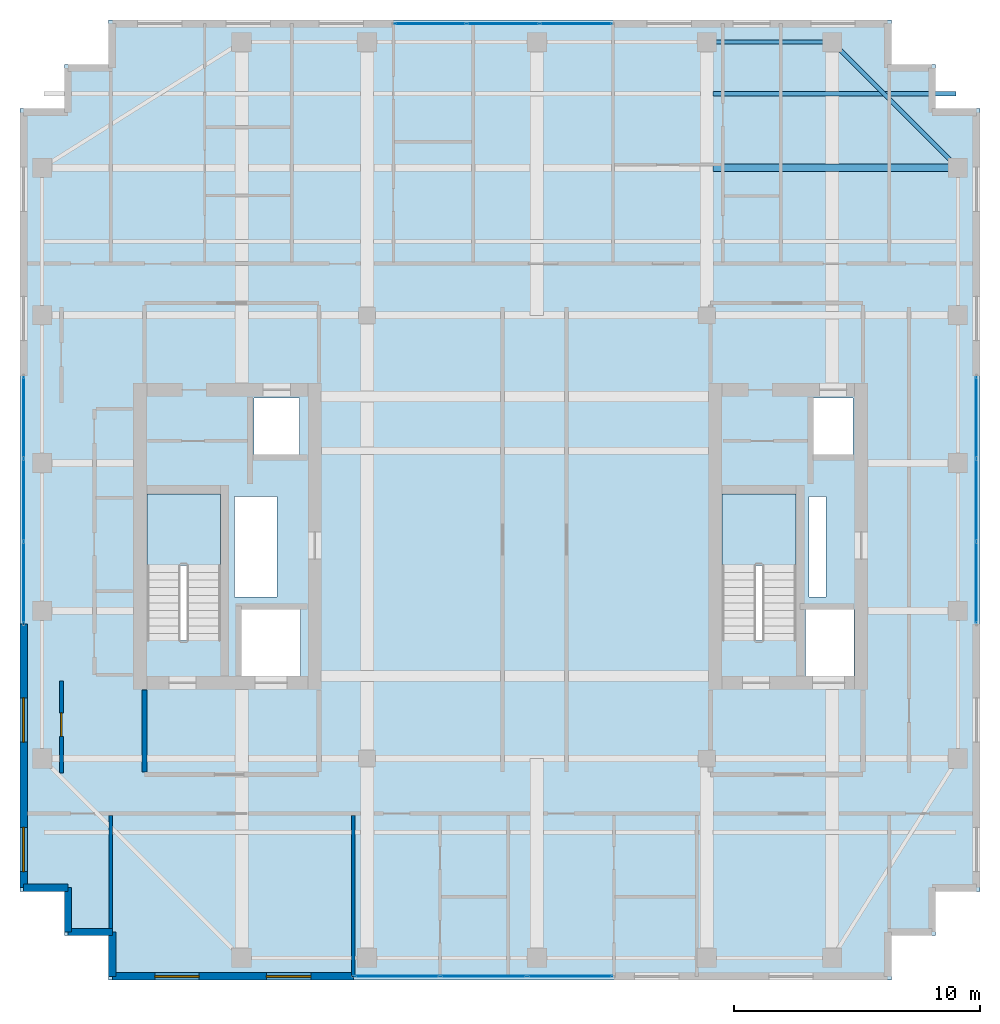
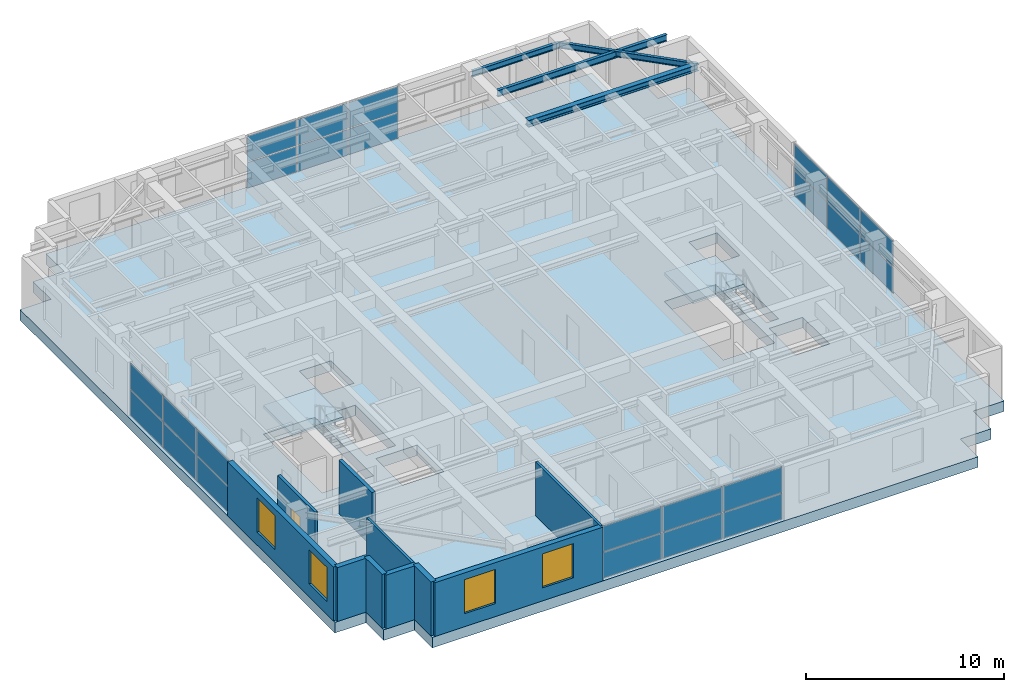
# One storey, part 16 of 21: 24 plates, 10 walls, 4 beams, 4 windows, 3 slabs, 1 door, 5 openings, 6 elements without a shape of their own.
"""IFC4 building model written with IfcOpenShell, lengths in metres."""

from ifc_helpers import new_model, si_unit, direction, frame, frame_2d, origin, origin_2d, place, context, subcontext, project, spatial, polyline, rectangle, i_section, outline, extrude, source, transform, mapped, material, layer, layer_set, material_profile, profile_set, type_object, element, fill, aggregate, save


model = new_model("IFC4")

# Units and contexts
model_context = context("Model", 3, precision=1e-05, world=origin(), true_north=direction((0.0, 1.0)))
body_context = subcontext(model_context, "Body", "Model", "MODEL_VIEW")
ifc_project = project(units=[si_unit("LENGTHUNIT", "METRE"), si_unit("AREAUNIT", "SQUARE_METRE"), si_unit("VOLUMEUNIT", "CUBIC_METRE"), si_unit("PLANEANGLEUNIT", "RADIAN"), si_unit("MASSUNIT", "GRAM", prefix="KILO")], contexts=[model_context])

# Site, building, storey
site_placement = place(None, origin())
site = spatial("IfcSite", under=ifc_project, at=site_placement, CompositionType="ELEMENT")
building_placement = place(site_placement, origin())
building = spatial("IfcBuilding", under=site, at=building_placement, Name="Khoralis Quay Care Tower", CompositionType="ELEMENT")
storey_placement = place(building_placement, frame((0.0, 0.0, 267.300048828125)))
storey = spatial("IfcBuildingStorey", under=building, at=storey_placement, Name="L70", CompositionType="ELEMENT", Elevation=267.300048828125)

# Beams
ifc_material_1 = material(Name="Steel S355", Category="steel")
ifc_material_profile_1 = material_profile(ifc_material_1, i_section(OverallWidth=0.169921875, OverallDepth=0.360107421875, WebThickness=0.008056640625, FlangeThickness=0.0126953125, FilletRadius=0.01806640625, at=origin_2d()), Name="Steel S355")
ifc_profile_set_1 = profile_set([ifc_material_profile_1], Name="Steel S355")
beam_type_1 = type_object("IfcBeamType", Name="BM-IPE360", PredefinedType="SPANDREL", material=ifc_profile_set_1)
shared_shape_1 = source(origin(), body_context, "Body", "SweptSolid", [
    extrude(i_section(OverallWidth=0.169921875, OverallDepth=0.360107421875, WebThickness=0.008056640625, FlangeThickness=0.0126953125, FilletRadius=0.01806640625, at=origin_2d()), origin(), (0.0, 0.0, 1.0), 5.10009765625),
])
beam_1_placement = place(storey_placement, frame((30.89990234375, 41.10009765625, 3.139892578125), z_axis=(1.0, 0.0, 0.0), x_axis=(0.0, 1.0, 0.0)))
element("IfcBeam", 1, at=beam_1_placement, inside=storey, type_object=beam_type_1, Name="BM-TSP-L70-08", PredefinedType="SPANDREL", context=body_context, shape_type="MappedRepresentation", body=[
    mapped(shared_shape_1, transform((0.0, 0.0, 0.0), scale=1.0)),
])
shared_shape_2 = source(origin(), body_context, "Body", "SweptSolid", [
    extrude(i_section(OverallWidth=0.169921875, OverallDepth=0.360107421875, WebThickness=0.008056640625, FlangeThickness=0.0126953125, FilletRadius=0.01806640625, at=origin_2d()), origin(), (0.0, 0.0, 1.0), 7.212646484375),
])
beam_2_placement = place(storey_placement, frame((36.0, 41.10009765625, 3.139892578125), z_axis=(0.707106781187, -0.707106781187, 0.0), x_axis=(0.707106781187, 0.707106781187, 0.0)))
element("IfcBeam", 2, at=beam_2_placement, inside=storey, type_object=beam_type_1, Name="BM-TCR-L70-20", PredefinedType="SPANDREL", context=body_context, shape_type="MappedRepresentation", body=[
    mapped(shared_shape_2, transform((0.0, 0.0, 0.0), scale=1.0)),
])
ifc_material_profile_2 = material_profile(ifc_material_1, i_section(OverallWidth=0.300048828125, OverallDepth=0.39990234375, WebThickness=0.013427734375, FlangeThickness=0.02392578125, FilletRadius=0.027099609375, at=origin_2d()), Name="Steel S355")
ifc_profile_set_2 = profile_set([ifc_material_profile_2], Name="Steel S355")
beam_type_2 = type_object("IfcBeamType", Name="BM-HEB400", PredefinedType="BEAM", material=ifc_profile_set_2)
shared_shape_3 = source(origin(), body_context, "Body", "SweptSolid", [
    extrude(i_section(OverallWidth=0.300048828125, OverallDepth=0.39990234375, WebThickness=0.013427734375, FlangeThickness=0.02392578125, FilletRadius=0.027099609375, at=origin_2d()), origin(), (0.0, 0.0, 1.0), 9.93701171875),
])
beam_3_placement = place(storey_placement, frame((31.1630859375, 36.0, 3.119873046875), z_axis=(1.0, 0.0, 0.0), x_axis=(0.0, 1.0, 0.0)))
element("IfcBeam", 3, at=beam_3_placement, inside=storey, type_object=beam_type_2, Name="BM-TGXE-L70-360", PredefinedType="BEAM", context=body_context, shape_type="MappedRepresentation", body=[
    mapped(shared_shape_3, transform((0.0, 0.0, 0.0), scale=1.0)),
])
ifc_material_profile_3 = material_profile(ifc_material_1, i_section(OverallWidth=0.177978515625, OverallDepth=0.406982421875, WebThickness=0.0078125, FlangeThickness=0.0126953125, FilletRadius=0.012939453125, at=origin_2d()), Name="Steel S355")
ifc_profile_set_3 = profile_set([ifc_material_profile_3], Name="Steel S355")
beam_type_3 = type_object("IfcBeamType", Name="BM-W410X60", PredefinedType="JOIST", material=ifc_profile_set_3)
shared_shape_4 = source(origin(), body_context, "Body", "SweptSolid", [
    extrude(i_section(OverallWidth=0.177978515625, OverallDepth=0.406982421875, WebThickness=0.0078125, FlangeThickness=0.0126953125, FilletRadius=0.012939453125, at=origin_2d()), origin(), (0.0, 0.0, 1.0), 9.865966796875),
])
beam_4_placement = place(storey_placement, frame((31.1630859375, 39.0, 3.116455078125), z_axis=(1.0, 0.0, 0.0), x_axis=(0.0, 1.0, 0.0)))
element("IfcBeam", 4, at=beam_4_placement, inside=storey, type_object=beam_type_3, Name="BM-TJS-L70-28", PredefinedType="JOIST", context=body_context, shape_type="MappedRepresentation", body=[
    mapped(shared_shape_4, transform((0.0, 0.0, 0.0), scale=1.0)),
])

# Stair, slab
ifc_material_2 = material(Name="Precast concrete C45/55", Category="concrete")
stair_type = type_object("IfcStairType", Name="ST-TWR-DOGLEG-1400", PredefinedType="HALF_TURN_STAIR", material=ifc_material_2)
stair_1_placement = place(storey_placement, origin())
stair_1 = element("IfcStair", 5, at=stair_1_placement, inside=storey, type_object=stair_type, Name="L70 West Core Exit Stair ST-T1", PredefinedType="HALF_TURN_STAIR")
ifc_layer_1 = layer(ifc_material_2, 0.199951171875)
ifc_layer_set_1 = layer_set([ifc_layer_1], Name="Precast concrete C45/55")
slab_type_1 = type_object("IfcSlabType", Name="SLB-LANDING-200", PredefinedType="LANDING", material=ifc_layer_set_1)
slab_1_placement = place(storey_placement, frame((0.0, 0.0, 1.599853515625)))
slab_1 = element("IfcSlab", 6, at=slab_1_placement, type_object=slab_type_1, Name="ST-T1 landing 1", PredefinedType="LANDING", context=body_context, shape_type="SweptSolid", body=[
    extrude(outline(polyline([(11.14990234375, 19.840087890625), (11.14990234375, 22.75), (8.14990234375, 22.75), (8.14990234375, 19.840087890625), (11.14990234375, 19.840087890625)])), origin(), (0.0, 0.0, 1.0), 0.2001953125),
])
aggregate(stair_1, [slab_1])

stair_2_placement = place(storey_placement, origin())
stair_2 = element("IfcStair", 7, at=stair_2_placement, inside=storey, type_object=stair_type, Name="L70 East Core Exit Stair ST-T2", PredefinedType="HALF_TURN_STAIR")
slab_2_placement = place(storey_placement, frame((0.0, 0.0, 1.599853515625)))
slab_2 = element("IfcSlab", 8, at=slab_2_placement, type_object=slab_type_1, Name="ST-T2 landing 1", PredefinedType="LANDING", context=body_context, shape_type="SweptSolid", body=[
    extrude(outline(polyline([(34.52001953125, 19.840087890625), (34.52001953125, 22.75), (31.52001953125, 22.75), (31.52001953125, 19.840087890625), (34.52001953125, 19.840087890625)])), origin(), (0.0, 0.0, 1.0), 0.2001953125),
])
aggregate(stair_2, [slab_2])

# Slab
ifc_material_3 = material(Name="Concrete C65/80", Category="concrete")
ifc_layer_2 = layer(ifc_material_3, 0.64990234375)
ifc_layer_set_2 = layer_set([ifc_layer_2], Name="Concrete C65/80")
slab_type_2 = type_object("IfcSlabType", Name="SLB-TRANS-650", PredefinedType="FLOOR", material=ifc_layer_set_2)
slab_3_placement = place(storey_placement, frame((0.0, 0.0, -0.650146484375)))
element("IfcSlab", 9, at=slab_3_placement, inside=storey, type_object=slab_type_2, Name="Tower Floor Slab L70", PredefinedType="FLOOR", context=body_context, shape_type="SweptSolid", body=[
    extrude(outline(polyline([(6.60009765625, 3.0), (38.39990234375, 3.0), (38.39990234375, 4.800048828125), (40.199951171875, 4.800048828125), (40.199951171875, 6.60009765625), (42.0, 6.60009765625), (42.0, 38.39990234375), (40.199951171875, 38.39990234375), (40.199951171875, 40.199951171875), (38.39990234375, 40.199951171875), (38.39990234375, 42.0), (6.60009765625, 42.0), (6.60009765625, 40.199951171875), (4.800048828125, 40.199951171875), (4.800048828125, 38.39990234375), (3.0, 38.39990234375), (3.0, 6.60009765625), (4.800048828125, 6.60009765625), (4.800048828125, 4.800048828125), (6.60009765625, 4.800048828125), (6.60009765625, 3.0)]), holes=[polyline([(11.14990234375, 16.800048828125), (11.14990234375, 22.75), (8.14990234375, 22.75), (8.14990234375, 16.800048828125), (11.14990234375, 16.800048828125)]), polyline([(34.52001953125, 16.800048828125), (34.52001953125, 22.75), (31.52001953125, 22.75), (31.52001953125, 16.800048828125), (34.52001953125, 16.800048828125)]), polyline([(12.0, 15.35009765625), (14.39990234375, 15.35009765625), (14.39990234375, 18.050048828125), (12.0, 18.050048828125), (12.0, 15.35009765625)]), polyline([(34.919921875, 15.35009765625), (36.8798828125, 15.35009765625), (36.8798828125, 18.050048828125), (34.919921875, 18.050048828125), (34.919921875, 15.35009765625)]), polyline([(12.5, 24.35009765625), (14.35009765625, 24.35009765625), (14.35009765625, 26.64990234375), (12.5, 26.64990234375), (12.5, 24.35009765625)]), polyline([(35.199951171875, 24.35009765625), (36.85009765625, 24.35009765625), (36.85009765625, 26.64990234375), (35.199951171875, 26.64990234375), (35.199951171875, 24.35009765625)]), polyline([(11.719970703125, 18.550048828125), (13.449951171875, 18.550048828125), (13.449951171875, 22.64990234375), (11.719970703125, 22.64990234375), (11.719970703125, 18.550048828125)]), polyline([(35.050048828125, 18.550048828125), (35.75, 18.550048828125), (35.75, 22.64990234375), (35.050048828125, 22.64990234375), (35.050048828125, 18.550048828125)])]), origin(), (0.0, 0.0, 1.0), 0.650146484375),
])

# Curtain wall, plates
ifc_material_4 = material(Name="Pale anodised aluminium", Category="aluminium")
ifc_layer_3 = layer(ifc_material_4, 0.159912109375)
ifc_layer_set_3 = layer_set([ifc_layer_3], Name="Pale anodised aluminium")
curtain_wall_type = type_object("IfcCurtainWallType", Name="CW-SYS-Z3", PredefinedType="NOTDEFINED", material=ifc_layer_set_3)
curtain_wall_1_placement = place(storey_placement, origin())
curtain_wall_1 = element("IfcCurtainWall", 10, at=curtain_wall_1_placement, inside=storey, type_object=curtain_wall_type, Name="L70 Unitised Curtain Wall CW-L70-P1-E0", PredefinedType="NOTDEFINED")
ifc_material_5 = material(Name="Low-E solar-control double glazing", Category="glass")
ifc_layer_4 = layer(ifc_material_5, 0.031982421875)
ifc_layer_set_4 = layer_set([ifc_layer_4], Name="Low-E solar-control double glazing")
plate_type = type_object("IfcPlateType", Name="PNL-VIS-32", PredefinedType="CURTAIN_PANEL", material=ifc_layer_set_4)
shared_shape_5 = source(origin(), body_context, "Body", "SweptSolid", [
    extrude(rectangle(XDim=3.438232421875, YDim=0.028076171875, at=origin_2d()), origin(), (0.0, 0.0, 1.0), 1.570068359375),
])
plate_1_placement = place(storey_placement, frame((18.319091796875, 3.14990234375, 0.06005859375), z_axis=(0.0, 0.0, 1.0), x_axis=(1.0, 0.0, 0.0)))
plate_1 = element("IfcPlate", 11, at=plate_1_placement, type_object=plate_type, Name="CW3 panel 1.1", PredefinedType="CURTAIN_PANEL", context=body_context, shape_type="MappedRepresentation", body=[
    mapped(shared_shape_5, transform((0.0, 0.0, 0.0), scale=1.0)),
])
plate_2_placement = place(storey_placement, frame((18.319091796875, 3.14990234375, 1.68994140625), z_axis=(0.0, 0.0, 1.0), x_axis=(1.0, 0.0, 0.0)))
plate_2 = element("IfcPlate", 12, at=plate_2_placement, type_object=plate_type, Name="CW3 panel 1.2", PredefinedType="CURTAIN_PANEL", context=body_context, shape_type="MappedRepresentation", body=[
    mapped(shared_shape_5, transform((0.0, 0.0, 0.0), scale=1.0)),
])
plate_3_placement = place(storey_placement, frame((25.345947265625, 3.14990234375, 0.06005859375), z_axis=(0.0, 0.0, 1.0), x_axis=(1.0, 0.0, 0.0)))
plate_3 = element("IfcPlate", 13, at=plate_3_placement, type_object=plate_type, Name="CW3 panel 3.1", PredefinedType="CURTAIN_PANEL", context=body_context, shape_type="MappedRepresentation", body=[
    mapped(shared_shape_5, transform((0.0, 0.0, 0.0), scale=1.0)),
])
plate_4_placement = place(storey_placement, frame((25.345947265625, 3.14990234375, 1.68994140625), z_axis=(0.0, 0.0, 1.0), x_axis=(1.0, 0.0, 0.0)))
plate_4 = element("IfcPlate", 14, at=plate_4_placement, type_object=plate_type, Name="CW3 panel 3.2", PredefinedType="CURTAIN_PANEL", context=body_context, shape_type="MappedRepresentation", body=[
    mapped(shared_shape_5, transform((0.0, 0.0, 0.0), scale=1.0)),
])
shared_shape_6 = source(origin(), body_context, "Body", "SweptSolid", [
    extrude(rectangle(XDim=3.46826171875, YDim=0.028076171875, at=origin_2d()), origin(), (0.0, 0.0, 1.0), 1.570068359375),
])
plate_5_placement = place(storey_placement, frame((21.83251953125, 3.14990234375, 0.06005859375), z_axis=(0.0, 0.0, 1.0), x_axis=(1.0, 0.0, 0.0)))
plate_5 = element("IfcPlate", 15, at=plate_5_placement, type_object=plate_type, Name="CW3 panel 2.1", PredefinedType="CURTAIN_PANEL", context=body_context, shape_type="MappedRepresentation", body=[
    mapped(shared_shape_6, transform((0.0, 0.0, 0.0), scale=1.0)),
])
plate_6_placement = place(storey_placement, frame((21.83251953125, 3.14990234375, 1.68994140625), z_axis=(0.0, 0.0, 1.0), x_axis=(1.0, 0.0, 0.0)))
plate_6 = element("IfcPlate", 16, at=plate_6_placement, type_object=plate_type, Name="CW3 panel 2.2", PredefinedType="CURTAIN_PANEL", context=body_context, shape_type="MappedRepresentation", body=[
    mapped(shared_shape_6, transform((0.0, 0.0, 0.0), scale=1.0)),
])
aggregate(curtain_wall_1, [plate_1, plate_2, plate_5, plate_6, plate_3, plate_4])

curtain_wall_2_placement = place(storey_placement, origin())
curtain_wall_2 = element("IfcCurtainWall", 17, at=curtain_wall_2_placement, inside=storey, type_object=curtain_wall_type, Name="L70 Unitised Curtain Wall CW-L70-P1-E5", PredefinedType="NOTDEFINED")
shared_shape_7 = source(origin(), body_context, "Body", "SweptSolid", [
    extrude(rectangle(XDim=3.27001953125, YDim=0.028076171875, at=origin_2d()), origin(), (0.0, 0.0, 1.0), 1.570068359375),
])
plate_7_placement = place(storey_placement, frame((41.85009765625, 19.155029296875, 0.06005859375), z_axis=(0.0, 0.0, 1.0), x_axis=(0.0, 1.0, 0.0)))
plate_7 = element("IfcPlate", 18, at=plate_7_placement, type_object=plate_type, Name="CW3 panel 1.1", PredefinedType="CURTAIN_PANEL", context=body_context, shape_type="MappedRepresentation", body=[
    mapped(shared_shape_7, transform((0.0, 0.0, 0.0), scale=1.0)),
])
plate_8_placement = place(storey_placement, frame((41.85009765625, 19.155029296875, 1.68994140625), z_axis=(0.0, 0.0, 1.0), x_axis=(0.0, 1.0, 0.0)))
plate_8 = element("IfcPlate", 19, at=plate_8_placement, type_object=plate_type, Name="CW3 panel 1.2", PredefinedType="CURTAIN_PANEL", context=body_context, shape_type="MappedRepresentation", body=[
    mapped(shared_shape_7, transform((0.0, 0.0, 0.0), scale=1.0)),
])
plate_9_placement = place(storey_placement, frame((41.85009765625, 25.844970703125, 0.06005859375), z_axis=(0.0, 0.0, 1.0), x_axis=(0.0, 1.0, 0.0)))
plate_9 = element("IfcPlate", 20, at=plate_9_placement, type_object=plate_type, Name="CW3 panel 3.1", PredefinedType="CURTAIN_PANEL", context=body_context, shape_type="MappedRepresentation", body=[
    mapped(shared_shape_7, transform((0.0, 0.0, 0.0), scale=1.0)),
])
plate_10_placement = place(storey_placement, frame((41.85009765625, 25.844970703125, 1.68994140625), z_axis=(0.0, 0.0, 1.0), x_axis=(0.0, 1.0, 0.0)))
plate_10 = element("IfcPlate", 21, at=plate_10_placement, type_object=plate_type, Name="CW3 panel 3.2", PredefinedType="CURTAIN_PANEL", context=body_context, shape_type="MappedRepresentation", body=[
    mapped(shared_shape_7, transform((0.0, 0.0, 0.0), scale=1.0)),
])

curtain_wall_3_placement = place(storey_placement, origin())
curtain_wall_3 = element("IfcCurtainWall", 22, at=curtain_wall_3_placement, inside=storey, type_object=curtain_wall_type, Name="L70 Unitised Curtain Wall CW-L70-P1-E15", PredefinedType="NOTDEFINED")
plate_11_placement = place(storey_placement, frame((3.14990234375, 25.844970703125, 0.06005859375), z_axis=(0.0, 0.0, 1.0), x_axis=(0.0, -1.0, 0.0)))
plate_11 = element("IfcPlate", 23, at=plate_11_placement, type_object=plate_type, Name="CW3 panel 1.1", PredefinedType="CURTAIN_PANEL", context=body_context, shape_type="MappedRepresentation", body=[
    mapped(shared_shape_7, transform((0.0, 0.0, 0.0), scale=1.0)),
])
plate_12_placement = place(storey_placement, frame((3.14990234375, 25.844970703125, 1.68994140625), z_axis=(0.0, 0.0, 1.0), x_axis=(0.0, -1.0, 0.0)))
plate_12 = element("IfcPlate", 24, at=plate_12_placement, type_object=plate_type, Name="CW3 panel 1.2", PredefinedType="CURTAIN_PANEL", context=body_context, shape_type="MappedRepresentation", body=[
    mapped(shared_shape_7, transform((0.0, 0.0, 0.0), scale=1.0)),
])
plate_13_placement = place(storey_placement, frame((3.14990234375, 19.155029296875, 0.06005859375), z_axis=(0.0, 0.0, 1.0), x_axis=(0.0, -1.0, 0.0)))
plate_13 = element("IfcPlate", 25, at=plate_13_placement, type_object=plate_type, Name="CW3 panel 3.1", PredefinedType="CURTAIN_PANEL", context=body_context, shape_type="MappedRepresentation", body=[
    mapped(shared_shape_7, transform((0.0, 0.0, 0.0), scale=1.0)),
])
plate_14_placement = place(storey_placement, frame((3.14990234375, 19.155029296875, 1.68994140625), z_axis=(0.0, 0.0, 1.0), x_axis=(0.0, -1.0, 0.0)))
plate_14 = element("IfcPlate", 26, at=plate_14_placement, type_object=plate_type, Name="CW3 panel 3.2", PredefinedType="CURTAIN_PANEL", context=body_context, shape_type="MappedRepresentation", body=[
    mapped(shared_shape_7, transform((0.0, 0.0, 0.0), scale=1.0)),
])

# Plate
shared_shape_8 = source(origin(), body_context, "Body", "SweptSolid", [
    extrude(rectangle(XDim=3.300048828125, YDim=0.028076171875, at=origin_2d()), origin(), (0.0, 0.0, 1.0), 1.570068359375),
])
plate_15_placement = place(storey_placement, frame((41.85009765625, 22.5, 0.06005859375), z_axis=(0.0, 0.0, 1.0), x_axis=(0.0, 1.0, 0.0)))
plate_15 = element("IfcPlate", 27, at=plate_15_placement, type_object=plate_type, Name="CW3 panel 2.1", PredefinedType="CURTAIN_PANEL", context=body_context, shape_type="MappedRepresentation", body=[
    mapped(shared_shape_8, transform((0.0, 0.0, 0.0), scale=1.0)),
])

plate_16_placement = place(storey_placement, frame((41.85009765625, 22.5, 1.68994140625), z_axis=(0.0, 0.0, 1.0), x_axis=(0.0, 1.0, 0.0)))
plate_16 = element("IfcPlate", 28, at=plate_16_placement, type_object=plate_type, Name="CW3 panel 2.2", PredefinedType="CURTAIN_PANEL", context=body_context, shape_type="MappedRepresentation", body=[
    mapped(shared_shape_8, transform((0.0, 0.0, 0.0), scale=1.0)),
])

aggregate(curtain_wall_2, [plate_7, plate_8, plate_15, plate_16, plate_9, plate_10])

plate_17_placement = place(storey_placement, frame((3.14990234375, 22.5, 0.06005859375), z_axis=(0.0, 0.0, 1.0), x_axis=(0.0, -1.0, 0.0)))
plate_17 = element("IfcPlate", 29, at=plate_17_placement, type_object=plate_type, Name="CW3 panel 2.1", PredefinedType="CURTAIN_PANEL", context=body_context, shape_type="MappedRepresentation", body=[
    mapped(shared_shape_8, transform((0.0, 0.0, 0.0), scale=1.0)),
])

plate_18_placement = place(storey_placement, frame((3.14990234375, 22.5, 1.68994140625), z_axis=(0.0, 0.0, 1.0), x_axis=(0.0, -1.0, 0.0)))
plate_18 = element("IfcPlate", 30, at=plate_18_placement, type_object=plate_type, Name="CW3 panel 2.2", PredefinedType="CURTAIN_PANEL", context=body_context, shape_type="MappedRepresentation", body=[
    mapped(shared_shape_8, transform((0.0, 0.0, 0.0), scale=1.0)),
])

aggregate(curtain_wall_3, [plate_11, plate_12, plate_17, plate_18, plate_13, plate_14])

# Curtain wall, plates
curtain_wall_4_placement = place(storey_placement, origin())
curtain_wall_4 = element("IfcCurtainWall", 31, at=curtain_wall_4_placement, inside=storey, type_object=curtain_wall_type, Name="L70 Unitised Curtain Wall CW-L70-P1-E10", PredefinedType="NOTDEFINED")
shared_shape_9 = source(origin(), body_context, "Body", "SweptSolid", [
    extrude(rectangle(XDim=2.88427734375, YDim=0.028076171875, at=origin_2d()), origin(), (0.0, 0.0, 1.0), 1.570068359375),
])
plate_19_placement = place(storey_placement, frame((25.587890625, 41.85009765625, 0.06005859375), z_axis=(0.0, 0.0, 1.0), x_axis=(-1.0, 0.0, 0.0)))
plate_19 = element("IfcPlate", 32, at=plate_19_placement, type_object=plate_type, Name="CW3 panel 1.1", PredefinedType="CURTAIN_PANEL", context=body_context, shape_type="MappedRepresentation", body=[
    mapped(shared_shape_9, transform((0.0, 0.0, 0.0), scale=1.0)),
])
plate_20_placement = place(storey_placement, frame((25.587890625, 41.85009765625, 1.68994140625), z_axis=(0.0, 0.0, 1.0), x_axis=(-1.0, 0.0, 0.0)))
plate_20 = element("IfcPlate", 33, at=plate_20_placement, type_object=plate_type, Name="CW3 panel 1.2", PredefinedType="CURTAIN_PANEL", context=body_context, shape_type="MappedRepresentation", body=[
    mapped(shared_shape_9, transform((0.0, 0.0, 0.0), scale=1.0)),
])
plate_21_placement = place(storey_placement, frame((19.669189453125, 41.85009765625, 0.06005859375), z_axis=(0.0, 0.0, 1.0), x_axis=(-1.0, 0.0, 0.0)))
plate_21 = element("IfcPlate", 34, at=plate_21_placement, type_object=plate_type, Name="CW3 panel 3.1", PredefinedType="CURTAIN_PANEL", context=body_context, shape_type="MappedRepresentation", body=[
    mapped(shared_shape_9, transform((0.0, 0.0, 0.0), scale=1.0)),
])
plate_22_placement = place(storey_placement, frame((19.669189453125, 41.85009765625, 1.68994140625), z_axis=(0.0, 0.0, 1.0), x_axis=(-1.0, 0.0, 0.0)))
plate_22 = element("IfcPlate", 35, at=plate_22_placement, type_object=plate_type, Name="CW3 panel 3.2", PredefinedType="CURTAIN_PANEL", context=body_context, shape_type="MappedRepresentation", body=[
    mapped(shared_shape_9, transform((0.0, 0.0, 0.0), scale=1.0)),
])
shared_shape_10 = source(origin(), body_context, "Body", "SweptSolid", [
    extrude(rectangle(XDim=2.914306640625, YDim=0.028076171875, at=origin_2d()), origin(), (0.0, 0.0, 1.0), 1.570068359375),
])
plate_23_placement = place(storey_placement, frame((22.62841796875, 41.85009765625, 0.06005859375), z_axis=(0.0, 0.0, 1.0), x_axis=(-1.0, 0.0, 0.0)))
plate_23 = element("IfcPlate", 36, at=plate_23_placement, type_object=plate_type, Name="CW3 panel 2.1", PredefinedType="CURTAIN_PANEL", context=body_context, shape_type="MappedRepresentation", body=[
    mapped(shared_shape_10, transform((0.0, 0.0, 0.0), scale=1.0)),
])
plate_24_placement = place(storey_placement, frame((22.62841796875, 41.85009765625, 1.68994140625), z_axis=(0.0, 0.0, 1.0), x_axis=(-1.0, 0.0, 0.0)))
plate_24 = element("IfcPlate", 37, at=plate_24_placement, type_object=plate_type, Name="CW3 panel 2.2", PredefinedType="CURTAIN_PANEL", context=body_context, shape_type="MappedRepresentation", body=[
    mapped(shared_shape_10, transform((0.0, 0.0, 0.0), scale=1.0)),
])
aggregate(curtain_wall_4, [plate_19, plate_20, plate_23, plate_24, plate_21, plate_22])

# Wall
ifc_material_6 = material(Name="Gypsum plasterboard on acoustic metal stud")
ifc_layer_5 = layer(ifc_material_6, 0.199951171875)
ifc_layer_set_5 = layer_set([ifc_layer_5], Name="Gypsum plasterboard on acoustic metal stud")
wall_type_1 = type_object("IfcWallType", Name="WL-COMP-200", PredefinedType="PARTITIONING", material=ifc_layer_set_5)
wall_1_placement = place(storey_placement, frame((8.050048828125, 11.445068359375, 0.0), z_axis=(0.0, 0.0, 1.0), x_axis=(0.0, 1.0, 0.0)))
element("IfcWall", 38, at=wall_1_placement, inside=storey, type_object=wall_type_1, Name="L70 West Firefighting Lobby West Wall", PredefinedType="PARTITIONING", context=body_context, shape_type="SweptSolid", body=[
    extrude(rectangle(XDim=3.3349609375, YDim=0.199951171875, at=frame_2d((1.66748046875, 0.0))), origin(), (0.0, 0.0, 1.0), 3.320068359375),
])

# Wall, opening, door
ifc_layer_6 = layer(ifc_material_6, 0.1650390625)
ifc_layer_set_6 = layer_set([ifc_layer_6], Name="Gypsum plasterboard on acoustic metal stud")
wall_type_2 = type_object("IfcWallType", Name="WL-CORR-165", PredefinedType="PARTITIONING", material=ifc_layer_set_6)
wall_2_placement = place(storey_placement, frame((4.679931640625, 11.39990234375, 0.0), z_axis=(0.0, 0.0, 1.0), x_axis=(0.0, 1.0, 0.0)))
wall_2 = element("IfcWall", 39, at=wall_2_placement, inside=storey, type_object=wall_type_2, Name="L70 West Sky Sunroom South Wall", PredefinedType="PARTITIONING", context=body_context, shape_type="SweptSolid", body=[
    extrude(rectangle(XDim=3.75, YDim=0.1650390625, at=frame_2d((1.875, 0.0))), origin(), (0.0, 0.0, 1.0), 3.320068359375),
])
opening_1_placement = place(wall_2_placement, frame((1.5, 0.0, 0.0)))
opening_1 = element("IfcOpeningElement", 40, at=opening_1_placement, cuts=wall_2, Name="Opening ID1", PredefinedType="OPENING", context=body_context, shape_type="SweptSolid", body=[
    extrude(rectangle(XDim=0.949951171875, YDim=2.10009765625, at=frame_2d((0.47509765625, 1.050048828125))), frame((0.0, 0.092529296875, 0.0), z_axis=(0.0, -1.0, 0.0), x_axis=(1.0, 0.0, 0.0)), (0.0, 0.0, 1.0), 0.18505859375),
])
ifc_material_7 = material(Name="Acoustic hardwood timber", Category="wood")
door_type = type_object("IfcDoorType", Name="DR-ROOM-950X2100", OperationType="NOTDEFINED", PredefinedType="DOOR", material=ifc_material_7)
shared_shape_11 = source(origin(), body_context, "Body", "SweptSolid", [
    extrude(rectangle(XDim=0.949951171875, YDim=2.10009765625, at=frame_2d((0.47509765625, 1.050048828125))), frame((0.0, 0.02490234375, 0.0), z_axis=(0.0, -1.0, 0.0), x_axis=(1.0, 0.0, 0.0)), (0.0, 0.0, 1.0), 0.050048828125),
])
door_placement = place(opening_1_placement, frame((0.949951171875, 0.0, 0.0), z_axis=(0.0, 0.0, 1.0), x_axis=(-1.0, 0.0, 0.0)))
door = element("IfcDoor", 41, at=door_placement, inside=storey, type_object=door_type, Name="L70 West Sunroom Door", OperationType="SINGLE_SWING_LEFT", OverallHeight=2.10009765625, OverallWidth=0.949951171875, PredefinedType="DOOR", context=body_context, shape_type="MappedRepresentation", body=[
    mapped(shared_shape_11, transform((0.0, 0.0, 0.0), scale=1.0)),
])
fill(opening_1, door)

# Wall, openings, windows
ifc_layer_7 = layer(ifc_material_2, 0.300048828125)
ifc_layer_set_7 = layer_set([ifc_layer_7], Name="Precast concrete C45/55")
wall_type_3 = type_object("IfcWallType", Name="WL-EXT-REF-300", PredefinedType="SOLIDWALL", material=ifc_layer_set_7)
wall_3_placement = place(storey_placement, frame((6.75, 3.14990234375, 0.0), z_axis=(0.0, 0.0, 1.0), x_axis=(1.0, 0.0, 0.0)))
wall_3 = element("IfcWall", 42, at=wall_3_placement, inside=storey, type_object=wall_type_3, Name="L70 External Facade Wall WL-EXT-L70-P1-E0A", PredefinedType="SOLIDWALL", context=body_context, shape_type="SweptSolid", body=[
    extrude(rectangle(XDim=9.7900390625, YDim=0.300048828125, at=frame_2d((4.89501953125, 0.0))), origin(), (0.0, 0.0, 1.0), 3.320068359375),
])
opening_2_placement = place(wall_3_placement, frame((1.7275390625, 0.0, 0.800048828125)))
opening_2 = element("IfcOpeningElement", 43, at=opening_2_placement, cuts=wall_3, Name="Opening W2", PredefinedType="OPENING", context=body_context, shape_type="SweptSolid", body=[
    extrude(rectangle(XDim=1.800048828125, YDim=2.10009765625, at=frame_2d((0.89990234375, 1.050048828125))), frame((0.0, 0.16015625, 0.0), z_axis=(0.0, -1.0, 0.0), x_axis=(1.0, 0.0, 0.0)), (0.0, 0.0, 1.0), 0.320068359375),
])
opening_3_placement = place(wall_3_placement, frame((6.262451171875, 0.0, 0.800048828125)))
opening_3 = element("IfcOpeningElement", 44, at=opening_3_placement, cuts=wall_3, Name="Opening W2", PredefinedType="OPENING", context=body_context, shape_type="SweptSolid", body=[
    extrude(rectangle(XDim=1.800048828125, YDim=2.10009765625, at=frame_2d((0.89990234375, 1.050048828125))), frame((0.0, 0.16015625, 0.0), z_axis=(0.0, -1.0, 0.0), x_axis=(1.0, 0.0, 0.0)), (0.0, 0.0, 1.0), 0.320068359375),
])
window_type = type_object("IfcWindowType", Name="WN-POD-1800X2100", PartitioningType="SINGLE_PANEL", PredefinedType="WINDOW", material=ifc_material_5)
shared_shape_12 = source(origin(), body_context, "Body", "SweptSolid", [
    extrude(rectangle(XDim=1.800048828125, YDim=2.10009765625, at=frame_2d((0.89990234375, 1.050048828125))), frame((0.0, 0.030029296875, 0.0), z_axis=(0.0, -1.0, 0.0), x_axis=(1.0, 0.0, 0.0)), (0.0, 0.0, 1.0), 0.06005859375),
])
window_1_placement = place(opening_2_placement, origin())
window_1 = element("IfcWindow", 45, at=window_1_placement, inside=storey, type_object=window_type, Name="WN-L70-P1-E0A Facade Window 01", OverallHeight=2.10009765625, OverallWidth=1.800048828125, PartitioningType="SINGLE_PANEL", PredefinedType="WINDOW", context=body_context, shape_type="MappedRepresentation", body=[
    mapped(shared_shape_12, transform((0.0, 0.0, 0.0), scale=1.0)),
])
fill(opening_2, window_1)
window_2_placement = place(opening_3_placement, origin())
window_2 = element("IfcWindow", 46, at=window_2_placement, inside=storey, type_object=window_type, Name="WN-L70-P1-E0A Facade Window 02", OverallHeight=2.10009765625, OverallWidth=1.800048828125, PartitioningType="SINGLE_PANEL", PredefinedType="WINDOW", context=body_context, shape_type="MappedRepresentation", body=[
    mapped(shared_shape_12, transform((0.0, 0.0, 0.0), scale=1.0)),
])
fill(opening_3, window_2)

wall_4_placement = place(storey_placement, frame((3.14990234375, 17.4599609375, 0.0), z_axis=(0.0, 0.0, 1.0), x_axis=(0.0, -1.0, 0.0)))
wall_4 = element("IfcWall", 47, at=wall_4_placement, inside=storey, type_object=wall_type_3, Name="L70 External Facade Wall WL-EXT-L70-P1-E15B", PredefinedType="SOLIDWALL", context=body_context, shape_type="SweptSolid", body=[
    extrude(rectangle(XDim=10.7099609375, YDim=0.300048828125, at=frame_2d((5.35498046875, 0.0))), origin(), (0.0, 0.0, 1.0), 3.320068359375),
])
opening_4_placement = place(wall_4_placement, frame((3.0, 0.0, 0.800048828125)))
opening_4 = element("IfcOpeningElement", 48, at=opening_4_placement, cuts=wall_4, Name="Opening W2", PredefinedType="OPENING", context=body_context, shape_type="SweptSolid", body=[
    extrude(rectangle(XDim=1.800048828125, YDim=2.10009765625, at=frame_2d((0.89990234375, 1.050048828125))), frame((0.0, 0.16015625, 0.0), z_axis=(0.0, -1.0, 0.0), x_axis=(1.0, 0.0, 0.0)), (0.0, 0.0, 1.0), 0.320068359375),
])
opening_5_placement = place(wall_4_placement, frame((8.2548828125, 0.0, 0.800048828125)))
opening_5 = element("IfcOpeningElement", 49, at=opening_5_placement, cuts=wall_4, Name="Opening W2", PredefinedType="OPENING", context=body_context, shape_type="SweptSolid", body=[
    extrude(rectangle(XDim=1.800048828125, YDim=2.10009765625, at=frame_2d((0.89990234375, 1.050048828125))), frame((0.0, 0.16015625, 0.0), z_axis=(0.0, -1.0, 0.0), x_axis=(1.0, 0.0, 0.0)), (0.0, 0.0, 1.0), 0.320068359375),
])
window_3_placement = place(opening_4_placement, origin())
window_3 = element("IfcWindow", 50, at=window_3_placement, inside=storey, type_object=window_type, Name="WN-L70-P1-E15B Facade Window 01", OverallHeight=2.10009765625, OverallWidth=1.800048828125, PartitioningType="SINGLE_PANEL", PredefinedType="WINDOW", context=body_context, shape_type="MappedRepresentation", body=[
    mapped(shared_shape_12, transform((0.0, 0.0, 0.0), scale=1.0)),
])
fill(opening_4, window_3)
window_4_placement = place(opening_5_placement, origin())
window_4 = element("IfcWindow", 51, at=window_4_placement, inside=storey, type_object=window_type, Name="WN-L70-P1-E15B Facade Window 02", OverallHeight=2.10009765625, OverallWidth=1.800048828125, PartitioningType="SINGLE_PANEL", PredefinedType="WINDOW", context=body_context, shape_type="MappedRepresentation", body=[
    mapped(shared_shape_12, transform((0.0, 0.0, 0.0), scale=1.0)),
])
fill(opening_5, window_4)

# Walls
for number, where, z_axis, x_axis, name in (
    (52, (3.14990234375, 6.75, 0.0), (0.0, 0.0, 1.0), (1.0, 0.0, 0.0), "L70 External Facade Wall WL-EXT-L70-P1-C16"),
    (53, (4.949951171875, 6.75, 0.0), (0.0, 0.0, 1.0), (0.0, -1.0, 0.0), "L70 External Facade Wall WL-EXT-L70-P1-C17"),
    (54, (4.949951171875, 4.949951171875, 0.0), (0.0, 0.0, 1.0), (1.0, 0.0, 0.0), "L70 External Facade Wall WL-EXT-L70-P1-C18"),
    (55, (6.75, 4.949951171875, 0.0), (0.0, 0.0, 1.0), (0.0, -1.0, 0.0), "L70 External Facade Wall WL-EXT-L70-P1-C19"),
):
    element("IfcWall", number, at=place(storey_placement, frame(where, z_axis=z_axis, x_axis=x_axis)), inside=storey, type_object=wall_type_3, Name=name, PredefinedType="SOLIDWALL", context=body_context, shape_type="SweptSolid", body=[
        extrude(rectangle(XDim=1.800048828125, YDim=0.300048828125, at=frame_2d((0.89990234375, 0.0))), origin(), (0.0, 0.0, 1.0), 3.320068359375),
    ])
ifc_layer_8 = layer(ifc_material_6, 0.139892578125)
ifc_layer_set_8 = layer_set([ifc_layer_8], Name="Gypsum plasterboard on acoustic metal stud")
wall_type_4 = type_object("IfcWallType", Name="WL-UNIT-140", PredefinedType="PARTITIONING", material=ifc_layer_set_8)
wall_5_placement = place(storey_placement, frame((6.679931640625, 4.945068359375, 0.0), z_axis=(0.0, 0.0, 1.0), x_axis=(0.0, 1.0, 0.0)))
element("IfcWall", 56, at=wall_5_placement, inside=storey, type_object=wall_type_4, Name="L70 SB Demising Wall 0", PredefinedType="PARTITIONING", context=body_context, shape_type="SweptSolid", body=[
    extrude(rectangle(XDim=4.737548828125, YDim=0.139892578125, at=frame_2d((2.36865234375, 0.0))), origin(), (0.0, 0.0, 1.0), 3.320068359375),
])
wall_6_placement = place(storey_placement, frame((16.5400390625, 3.14501953125, 0.0), z_axis=(0.0, 0.0, 1.0), x_axis=(0.0, 1.0, 0.0)))
element("IfcWall", 57, at=wall_6_placement, inside=storey, type_object=wall_type_4, Name="L70 SB Demising Wall 1", PredefinedType="PARTITIONING", context=body_context, shape_type="SweptSolid", body=[
    extrude(rectangle(XDim=6.53759765625, YDim=0.139892578125, at=frame_2d((3.268798828125, 0.0))), origin(), (0.0, 0.0, 1.0), 3.320068359375),
])

save(model, "model.ifc")
